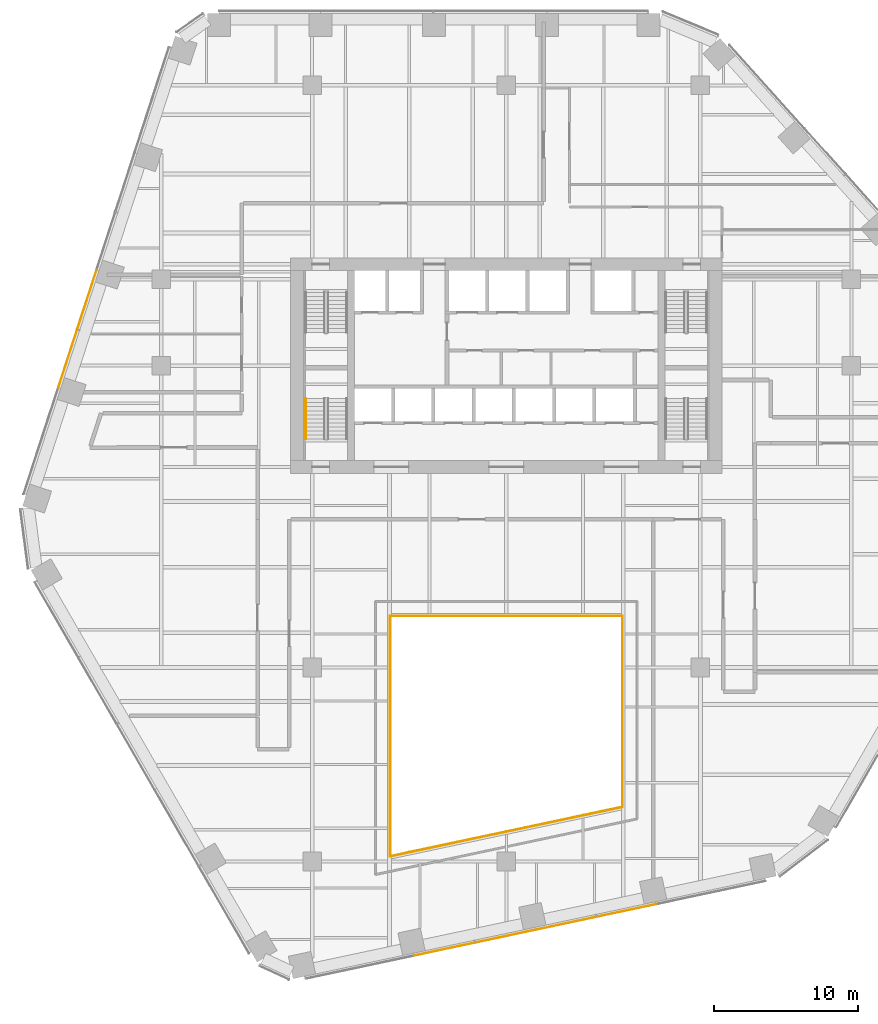
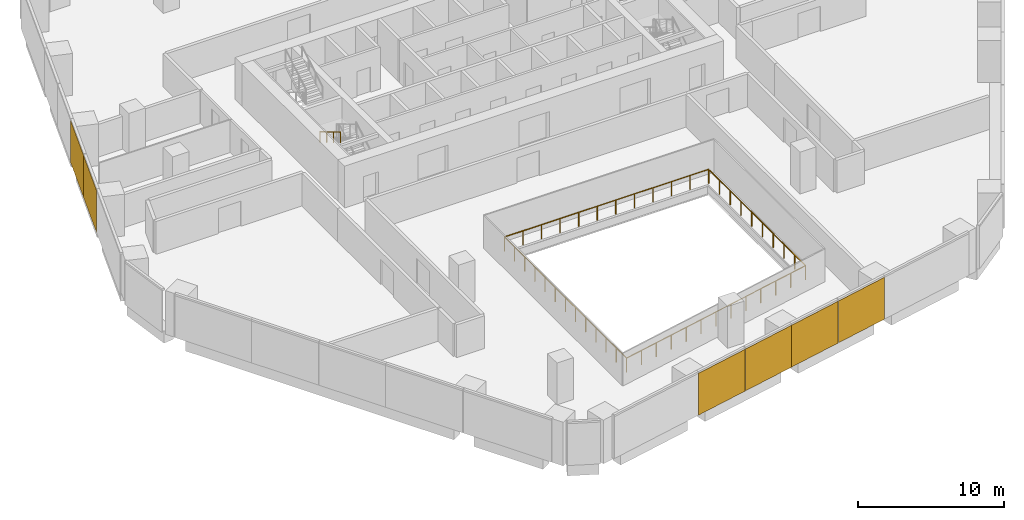
# One storey, part 17 of 19: 6 coverings, 5 railings, 2 elements without a shape of their own.
"""IFC4 building model written with IfcOpenShell, lengths in metres."""

from ifc_helpers import new_model, si_unit, direction, frame, origin, origin_2d, place, context, subcontext, project, spatial, rectangle, circle, extrude, material, layer, layer_set, type_object, element, aggregate, save


model = new_model("IFC4")

# Units and contexts
model_context = context("Model", 3, precision=1e-05, world=origin(), true_north=direction((0.0, 1.0)))
body_context = subcontext(model_context, "Body", "Model", "MODEL_VIEW")
ifc_project = project(units=[si_unit("LENGTHUNIT", "METRE"), si_unit("AREAUNIT", "SQUARE_METRE"), si_unit("VOLUMEUNIT", "CUBIC_METRE"), si_unit("PLANEANGLEUNIT", "RADIAN"), si_unit("MASSUNIT", "GRAM", prefix="KILO")], contexts=[model_context])

# Site, building, storey
site_placement = place(None, origin())
site = spatial("IfcSite", under=ifc_project, at=site_placement, CompositionType="ELEMENT")
building_placement = place(site_placement, origin())
building = spatial("IfcBuilding", under=site, at=building_placement, Name="Isthmus Gate Tower", CompositionType="ELEMENT")
storey_placement = place(building_placement, frame((0.0, 0.0, 87.949951171875)))
storey = spatial("IfcBuildingStorey", under=building, at=storey_placement, Name="L20", CompositionType="ELEMENT", Elevation=87.949951171875)

# Railings
ifc_material_1 = material(Name="Laminated toughened glass balustrade with steel rail", Category="steel")
railing_type_1 = type_object("IfcRailingType", Name="ATRIUM GUARD GLASS BALUSTRADE 1200", PredefinedType="GUARDRAIL", material=ifc_material_1)
railing_1_placement = place(storey_placement, frame((-8.080078125, -26.642822265625, 0.0)))
element("IfcRailing", 1, at=railing_1_placement, inside=storey, type_object=railing_type_1, Name="L20 atrium guard", PredefinedType="GUARDRAIL", context=body_context, shape_type="SweptSolid", body=[
    extrude(circle(Radius=0.02490234375, at=origin_2d()), frame((0.0, 0.0, 1.1748046875), z_axis=(0.0, 1.0, 0.0), x_axis=(-1.0, 0.0, 0.0)), (0.0, 0.0, 1.0), 16.722900390625),
    extrude(circle(Radius=0.02490234375, at=origin_2d()), origin(), (0.0, 0.0, 1.0), 1.14990234375),
    extrude(circle(Radius=0.02490234375, at=origin_2d()), frame((0.0, 1.3935546875, 0.0)), (0.0, 0.0, 1.0), 1.14990234375),
    extrude(circle(Radius=0.02490234375, at=origin_2d()), frame((0.0, 2.787109375, 0.0)), (0.0, 0.0, 1.0), 1.14990234375),
    extrude(circle(Radius=0.02490234375, at=origin_2d()), frame((0.0, 4.1806640625, 0.0)), (0.0, 0.0, 1.0), 1.14990234375),
    extrude(circle(Radius=0.02490234375, at=origin_2d()), frame((0.0, 5.57421875, 0.0)), (0.0, 0.0, 1.0), 1.14990234375),
    extrude(circle(Radius=0.02490234375, at=origin_2d()), frame((0.0, 6.9677734375, 0.0)), (0.0, 0.0, 1.0), 1.14990234375),
    extrude(circle(Radius=0.02490234375, at=origin_2d()), frame((0.0, 8.361328125, 0.0)), (0.0, 0.0, 1.0), 1.14990234375),
    extrude(circle(Radius=0.02490234375, at=origin_2d()), frame((0.0, 9.755126953125, 0.0)), (0.0, 0.0, 1.0), 1.14990234375),
    extrude(circle(Radius=0.02490234375, at=origin_2d()), frame((0.0, 11.148681640625, 0.0)), (0.0, 0.0, 1.0), 1.14990234375),
    extrude(circle(Radius=0.02490234375, at=origin_2d()), frame((0.0, 12.542236328125, 0.0)), (0.0, 0.0, 1.0), 1.14990234375),
    extrude(circle(Radius=0.02490234375, at=origin_2d()), frame((0.0, 13.935791015625, 0.0)), (0.0, 0.0, 1.0), 1.14990234375),
    extrude(circle(Radius=0.02490234375, at=origin_2d()), frame((0.0, 15.329345703125, 0.0)), (0.0, 0.0, 1.0), 1.14990234375),
    extrude(circle(Radius=0.02490234375, at=origin_2d()), frame((0.0, 16.722900390625, 0.0)), (0.0, 0.0, 1.0), 1.14990234375),
])
railing_2_placement = place(storey_placement, frame((-8.080078125, -9.919921875, 0.0)))
element("IfcRailing", 2, at=railing_2_placement, inside=storey, type_object=railing_type_1, Name="L20 atrium guard", PredefinedType="GUARDRAIL", context=body_context, shape_type="SweptSolid", body=[
    extrude(circle(Radius=0.02490234375, at=origin_2d()), frame((0.0, 0.0, 1.1748046875), z_axis=(1.0, 0.0, 0.0), x_axis=(0.0, 1.0, 0.0)), (0.0, 0.0, 1.0), 16.16015625),
    extrude(circle(Radius=0.02490234375, at=origin_2d()), origin(), (0.0, 0.0, 1.0), 1.14990234375),
    extrude(circle(Radius=0.02490234375, at=origin_2d()), frame((1.468994140625, 0.0, 0.0)), (0.0, 0.0, 1.0), 1.14990234375),
    extrude(circle(Radius=0.02490234375, at=origin_2d()), frame((2.938232421875, 0.0, 0.0)), (0.0, 0.0, 1.0), 1.14990234375),
    extrude(circle(Radius=0.02490234375, at=origin_2d()), frame((4.4072265625, 0.0, 0.0)), (0.0, 0.0, 1.0), 1.14990234375),
    extrude(circle(Radius=0.02490234375, at=origin_2d()), frame((5.87646484375, 0.0, 0.0)), (0.0, 0.0, 1.0), 1.14990234375),
    extrude(circle(Radius=0.02490234375, at=origin_2d()), frame((7.345458984375, 0.0, 0.0)), (0.0, 0.0, 1.0), 1.14990234375),
    extrude(circle(Radius=0.02490234375, at=origin_2d()), frame((8.814697265625, 0.0, 0.0)), (0.0, 0.0, 1.0), 1.14990234375),
    extrude(circle(Radius=0.02490234375, at=origin_2d()), frame((10.28369140625, 0.0, 0.0)), (0.0, 0.0, 1.0), 1.14990234375),
    extrude(circle(Radius=0.02490234375, at=origin_2d()), frame((11.7529296875, 0.0, 0.0)), (0.0, 0.0, 1.0), 1.14990234375),
    extrude(circle(Radius=0.02490234375, at=origin_2d()), frame((13.221923828125, 0.0, 0.0)), (0.0, 0.0, 1.0), 1.14990234375),
    extrude(circle(Radius=0.02490234375, at=origin_2d()), frame((14.691162109375, 0.0, 0.0)), (0.0, 0.0, 1.0), 1.14990234375),
    extrude(circle(Radius=0.02490234375, at=origin_2d()), frame((16.16015625, 0.0, 0.0)), (0.0, 0.0, 1.0), 1.14990234375),
])
railing_3_placement = place(storey_placement, frame((8.080078125, -9.919921875, 0.0)))
element("IfcRailing", 3, at=railing_3_placement, inside=storey, type_object=railing_type_1, Name="L20 atrium guard", PredefinedType="GUARDRAIL", context=body_context, shape_type="SweptSolid", body=[
    extrude(circle(Radius=0.02490234375, at=origin_2d()), frame((0.0, 0.0, 1.1748046875), z_axis=(0.0, -1.0, 0.0), x_axis=(1.0, 0.0, 0.0)), (0.0, 0.0, 1.0), 13.2880859375),
    extrude(circle(Radius=0.02490234375, at=origin_2d()), origin(), (0.0, 0.0, 1.0), 1.14990234375),
    extrude(circle(Radius=0.02490234375, at=origin_2d()), frame((0.0, -1.4765625, 0.0)), (0.0, 0.0, 1.0), 1.14990234375),
    extrude(circle(Radius=0.02490234375, at=origin_2d()), frame((0.0, -2.952880859375, 0.0)), (0.0, 0.0, 1.0), 1.14990234375),
    extrude(circle(Radius=0.02490234375, at=origin_2d()), frame((0.0, -4.429443359375, 0.0)), (0.0, 0.0, 1.0), 1.14990234375),
    extrude(circle(Radius=0.02490234375, at=origin_2d()), frame((0.0, -5.90576171875, 0.0)), (0.0, 0.0, 1.0), 1.14990234375),
    extrude(circle(Radius=0.02490234375, at=origin_2d()), frame((0.0, -7.38232421875, 0.0)), (0.0, 0.0, 1.0), 1.14990234375),
    extrude(circle(Radius=0.02490234375, at=origin_2d()), frame((0.0, -8.858642578125, 0.0)), (0.0, 0.0, 1.0), 1.14990234375),
    extrude(circle(Radius=0.02490234375, at=origin_2d()), frame((0.0, -10.335205078125, 0.0)), (0.0, 0.0, 1.0), 1.14990234375),
    extrude(circle(Radius=0.02490234375, at=origin_2d()), frame((0.0, -11.8115234375, 0.0)), (0.0, 0.0, 1.0), 1.14990234375),
    extrude(circle(Radius=0.02490234375, at=origin_2d()), frame((0.0, -13.2880859375, 0.0)), (0.0, 0.0, 1.0), 1.14990234375),
])
railing_4_placement = place(storey_placement, frame((8.080078125, -23.2080078125, 0.0)))
element("IfcRailing", 4, at=railing_4_placement, inside=storey, type_object=railing_type_1, Name="L20 atrium guard", PredefinedType="GUARDRAIL", context=body_context, shape_type="SweptSolid", body=[
    extrude(circle(Radius=0.02490234375, at=origin_2d()), frame((0.0, 0.0, 1.1748046875), z_axis=(-0.978149235358, -0.207904000366, 0.0), x_axis=(0.207904000366, -0.978149235358, 0.0)), (0.0, 0.0, 1.0), 16.521240234375),
    extrude(circle(Radius=0.02490234375, at=origin_2d()), origin(), (0.0, 0.0, 1.0), 1.14990234375),
    extrude(circle(Radius=0.02490234375, at=origin_2d()), frame((-1.3466796875, -0.2861328125, 0.0)), (0.0, 0.0, 1.0), 1.14990234375),
    extrude(circle(Radius=0.02490234375, at=origin_2d()), frame((-2.693359375, -0.572509765625, 0.0)), (0.0, 0.0, 1.0), 1.14990234375),
    extrude(circle(Radius=0.02490234375, at=origin_2d()), frame((-4.0400390625, -0.858642578125, 0.0)), (0.0, 0.0, 1.0), 1.14990234375),
    extrude(circle(Radius=0.02490234375, at=origin_2d()), frame((-5.38671875, -1.14501953125, 0.0)), (0.0, 0.0, 1.0), 1.14990234375),
    extrude(circle(Radius=0.02490234375, at=origin_2d()), frame((-6.7333984375, -1.43115234375, 0.0)), (0.0, 0.0, 1.0), 1.14990234375),
    extrude(circle(Radius=0.02490234375, at=origin_2d()), frame((-8.080078125, -1.71728515625, 0.0)), (0.0, 0.0, 1.0), 1.14990234375),
    extrude(circle(Radius=0.02490234375, at=origin_2d()), frame((-9.4267578125, -2.003662109375, 0.0)), (0.0, 0.0, 1.0), 1.14990234375),
    extrude(circle(Radius=0.02490234375, at=origin_2d()), frame((-10.7734375, -2.289794921875, 0.0)), (0.0, 0.0, 1.0), 1.14990234375),
    extrude(circle(Radius=0.02490234375, at=origin_2d()), frame((-12.1201171875, -2.576171875, 0.0)), (0.0, 0.0, 1.0), 1.14990234375),
    extrude(circle(Radius=0.02490234375, at=origin_2d()), frame((-13.466796875, -2.8623046875, 0.0)), (0.0, 0.0, 1.0), 1.14990234375),
    extrude(circle(Radius=0.02490234375, at=origin_2d()), frame((-14.8134765625, -3.148681640625, 0.0)), (0.0, 0.0, 1.0), 1.14990234375),
    extrude(circle(Radius=0.02490234375, at=origin_2d()), frame((-16.16015625, -3.434814453125, 0.0)), (0.0, 0.0, 1.0), 1.14990234375),
])

# Curtain wall, coverings
ifc_material_2 = material(Name="Aluminium, pale champagne anodised", Category="aluminium")
ifc_layer_1 = layer(ifc_material_2, 0.199951171875)
ifc_layer_set_1 = layer_set([ifc_layer_1], Name="CW-1 UNITISED CURTAIN WALL 200 DEEP")
curtain_wall_type = type_object("IfcCurtainWallType", Name="CW-1 UNITISED CURTAIN WALL 200 DEEP", PredefinedType="NOTDEFINED", material=ifc_layer_set_1)
curtain_wall_1_placement = place(storey_placement, origin())
curtain_wall_1 = element("IfcCurtainWall", 5, at=curtain_wall_1_placement, inside=storey, type_object=curtain_wall_type, Name="CW-1 NW L20", PredefinedType="NOTDEFINED")
ifc_material_3 = material(Name="Aluminium composite panel, pale champagne anodised", Category="aluminium")
ifc_layer_2 = layer(ifc_material_3, 0.0400390625)
ifc_layer_set_2 = layer_set([ifc_layer_2], Name="CW-1 PALE METAL PANEL 40")
covering_type = type_object("IfcCoveringType", Name="CW-1 PALE METAL PANEL 40", PredefinedType="CLADDING", material=ifc_layer_set_2)
covering_1_placement = place(storey_placement, frame((-29.17236328125, 12.09033203125, 0.0), z_axis=(0.0, 0.0, 1.0), x_axis=(-0.309016994375, -0.951056516295, 0.0)))
covering_1 = element("IfcCovering", 6, at=covering_1_placement, type_object=covering_type, Name="CW-1 pale metal panel", PredefinedType="CLADDING", context=body_context, shape_type="SweptSolid", body=[
    extrude(rectangle(XDim=4.294677734375, YDim=0.0400390625, at=origin_2d()), origin(), (0.0, 0.0, 1.0), 3.5),
])
covering_2_placement = place(storey_placement, frame((-30.5087890625, 7.9775390625, 0.0), z_axis=(0.0, 0.0, 1.0), x_axis=(-0.309016994375, -0.951056516295, 0.0)))
covering_2 = element("IfcCovering", 7, at=covering_2_placement, type_object=covering_type, Name="CW-1 pale metal panel", PredefinedType="CLADDING", context=body_context, shape_type="SweptSolid", body=[
    extrude(rectangle(XDim=4.234619140625, YDim=0.0400390625, at=origin_2d()), origin(), (0.0, 0.0, 1.0), 3.5),
])
aggregate(curtain_wall_1, [covering_1, covering_2])

curtain_wall_2_placement = place(storey_placement, origin())
curtain_wall_2 = element("IfcCurtainWall", 8, at=curtain_wall_2_placement, inside=storey, type_object=curtain_wall_type, Name="CW-1 S L20", PredefinedType="NOTDEFINED")
covering_3_placement = place(storey_placement, frame((-4.2861328125, -33.094970703125, 0.0), z_axis=(0.0, 0.0, 1.0), x_axis=(0.978147600734, 0.207911690818, 0.0)))
covering_3 = element("IfcCovering", 9, at=covering_3_placement, type_object=covering_type, Name="CW-1 pale metal panel", PredefinedType="CLADDING", context=body_context, shape_type="SweptSolid", body=[
    extrude(rectangle(XDim=4.294677734375, YDim=0.0400390625, at=origin_2d()), origin(), (0.0, 0.0, 1.0), 3.5),
])
covering_4_placement = place(storey_placement, frame((-0.055908203125, -32.19580078125, 0.0), z_axis=(0.0, 0.0, 1.0), x_axis=(0.978147600734, 0.207911690818, 0.0)))
covering_4 = element("IfcCovering", 10, at=covering_4_placement, type_object=covering_type, Name="CW-1 pale metal panel", PredefinedType="CLADDING", context=body_context, shape_type="SweptSolid", body=[
    extrude(rectangle(XDim=4.234619140625, YDim=0.0400390625, at=origin_2d()), origin(), (0.0, 0.0, 1.0), 3.5),
])
covering_5_placement = place(storey_placement, frame((4.115478515625, -31.309326171875, 0.0), z_axis=(0.0, 0.0, 1.0), x_axis=(0.978147600734, 0.207911690818, 0.0)))
covering_5 = element("IfcCovering", 11, at=covering_5_placement, type_object=covering_type, Name="CW-1 pale metal panel", PredefinedType="CLADDING", context=body_context, shape_type="SweptSolid", body=[
    extrude(rectangle(XDim=4.294677734375, YDim=0.0400390625, at=origin_2d()), origin(), (0.0, 0.0, 1.0), 3.5),
])
covering_6_placement = place(storey_placement, frame((8.345703125, -30.41015625, 0.0), z_axis=(0.0, 0.0, 1.0), x_axis=(0.978147600734, 0.207911690818, 0.0)))
covering_6 = element("IfcCovering", 12, at=covering_6_placement, type_object=covering_type, Name="CW-1 pale metal panel", PredefinedType="CLADDING", context=body_context, shape_type="SweptSolid", body=[
    extrude(rectangle(XDim=4.234619140625, YDim=0.0400390625, at=origin_2d()), origin(), (0.0, 0.0, 1.0), 3.5),
])
aggregate(curtain_wall_2, [covering_3, covering_4, covering_5, covering_6])

# Railing
ifc_material_4 = material(Name="Stainless steel handrail", Category="steel")
railing_type_2 = type_object("IfcRailingType", Name="STAIR HANDRAIL 900", PredefinedType="HANDRAIL", material=ifc_material_4)
railing_5_placement = place(storey_placement, frame((-13.949951171875, 5.199951171875, 1.990966796875)))
element("IfcRailing", 13, at=railing_5_placement, inside=storey, type_object=railing_type_2, Name="L20 ST7 stair handrail 2", PredefinedType="HANDRAIL", context=body_context, shape_type="SweptSolid", body=[
    extrude(circle(Radius=0.02392578125, at=origin_2d()), frame((0.0, 0.0, 0.8759765625), z_axis=(0.0, -0.860306154799, 0.50977771628), x_axis=(1.0, 0.0, 0.0)), (0.0, 0.0, 1.0), 3.254638671875),
    extrude(circle(Radius=0.02099609375, at=origin_2d()), origin(), (0.0, 0.0, 1.0), 0.851806640625),
    extrude(circle(Radius=0.02099609375, at=origin_2d()), frame((0.0, -0.933349609375, 0.552978515625)), (0.0, 0.0, 1.0), 0.851806640625),
    extrude(circle(Radius=0.02099609375, at=origin_2d()), frame((0.0, -1.86669921875, 1.106201171875)), (0.0, 0.0, 1.0), 0.851806640625),
    extrude(circle(Radius=0.02099609375, at=origin_2d()), frame((0.0, -2.800048828125, 1.6591796875)), (0.0, 0.0, 1.0), 0.851806640625),
])

save(model, "model.ifc")
